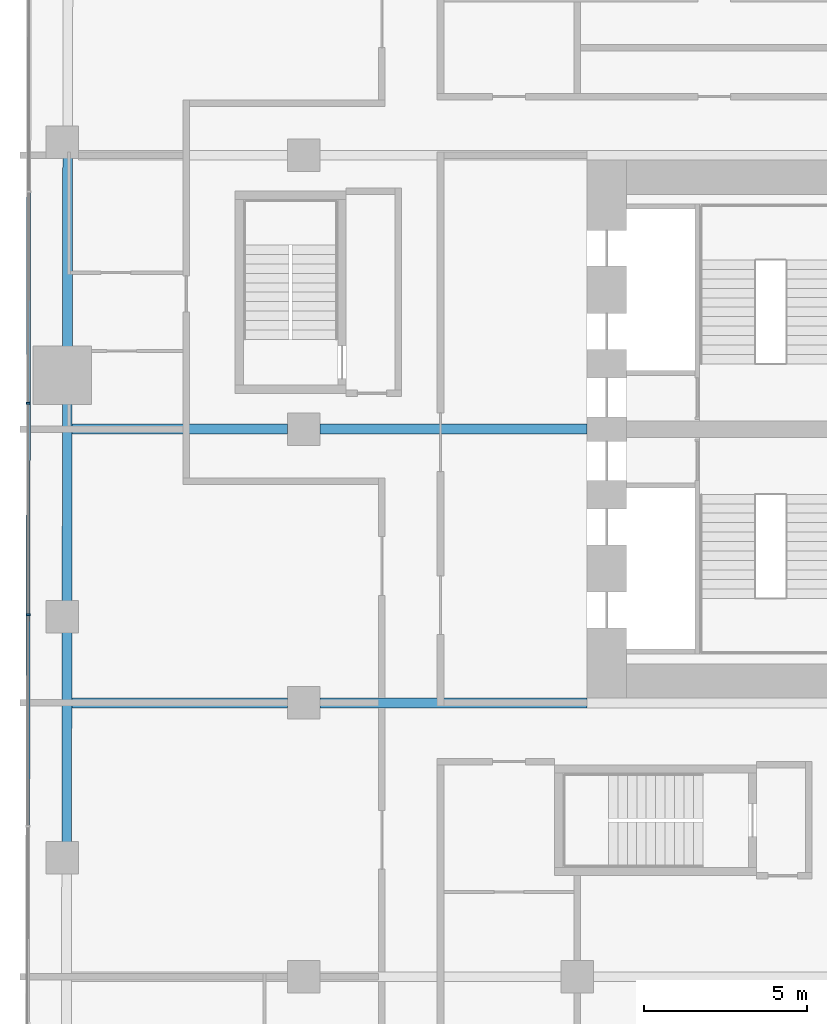
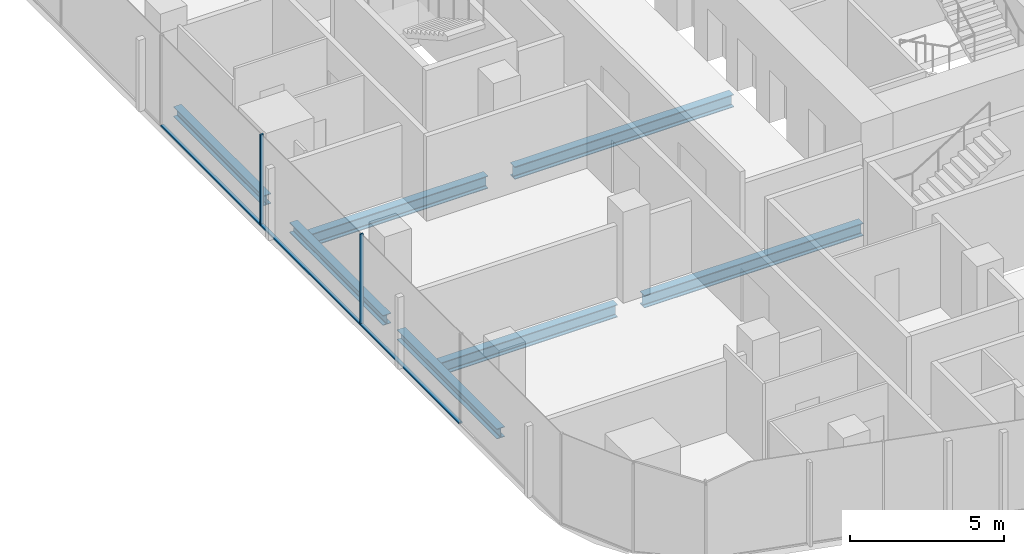
# One storey, part 4 of 26: 7 beams, 5 members, 1 element without a shape of its own.
"""IFC4 building model written with IfcOpenShell, lengths in metres."""

from ifc_helpers import new_model, si_unit, direction, frame, origin, origin_2d, place, context, subcontext, project, spatial, rectangle, i_section, extrude, material, layer, layer_set, material_profile, profile_set, type_object, element, aggregate, save


model = new_model("IFC4")

# Units and contexts
model_context = context("Model", 3, precision=1e-05, world=origin(), true_north=direction((0.0, 1.0)))
body_context = subcontext(model_context, "Body", "Model", "MODEL_VIEW")
ifc_project = project(units=[si_unit("LENGTHUNIT", "METRE"), si_unit("AREAUNIT", "SQUARE_METRE"), si_unit("VOLUMEUNIT", "CUBIC_METRE"), si_unit("PLANEANGLEUNIT", "RADIAN"), si_unit("MASSUNIT", "GRAM", prefix="KILO")], contexts=[model_context])

# Site, building, storey
site_placement = place(None, origin())
site = spatial("IfcSite", under=ifc_project, at=site_placement, CompositionType="ELEMENT")
building_placement = place(site_placement, origin())
building = spatial("IfcBuilding", under=site, at=building_placement, Name="Marenta Gate Hotel Tower", CompositionType="ELEMENT")
storey_placement = place(building_placement, frame((0.0, 0.0, 79.699951171875)))
storey = spatial("IfcBuildingStorey", under=building, at=storey_placement, Name="L18", CompositionType="ELEMENT", Elevation=79.699951171875)

# Beams
ifc_material_1 = material(Name="Steel S355", Category="steel")
ifc_material_profile_1 = material_profile(ifc_material_1, i_section(OverallWidth=0.300048828125, OverallDepth=0.39990234375, WebThickness=0.013427734375, FlangeThickness=0.02392578125, FilletRadius=0.027099609375, at=origin_2d()), Name="HEB 400")
ifc_profile_set_1 = profile_set([ifc_material_profile_1], Name="Steel S355")
beam_type_1 = type_object("IfcBeamType", Name="Edge beam HEB 400", PredefinedType="SPANDREL", material=ifc_profile_set_1)
beam_1_placement = place(storey_placement, frame((-28.267333984375, -4.2919921875, -0.4599609375), z_axis=(0.001393753119, 0.999999028726, 0.0), x_axis=(-0.999999028726, 0.001393753119, 0.0)))
element("IfcBeam", 1, at=beam_1_placement, inside=storey, type_object=beam_type_1, Name="L18-EB-6", PredefinedType="SPANDREL", context=body_context, shape_type="SweptSolid", body=[
    extrude(i_section(OverallWidth=0.300048828125, OverallDepth=0.39990234375, WebThickness=0.013427734375, FlangeThickness=0.02392578125, FilletRadius=0.027099609375, at=origin_2d()), origin(), (0.0, 0.0, 1.0), 6.481201171875),
])
beam_2_placement = place(storey_placement, frame((-28.257080078125, 3.109130859375, -0.4599609375), z_axis=(0.001405226059, 0.999999012669, 0.0), x_axis=(-0.999999012669, 0.001405226059, 0.0)))
element("IfcBeam", 2, at=beam_2_placement, inside=storey, type_object=beam_type_1, Name="L18-EB-7", PredefinedType="SPANDREL", context=body_context, shape_type="SweptSolid", body=[
    extrude(i_section(OverallWidth=0.300048828125, OverallDepth=0.39990234375, WebThickness=0.013427734375, FlangeThickness=0.02392578125, FilletRadius=0.027099609375, at=origin_2d()), origin(), (0.0, 0.0, 1.0), 6.080810546875),
])
beam_3_placement = place(storey_placement, frame((-28.246337890625, 10.909912109375, -0.4599609375), z_axis=(0.001423009483, 0.999998987521, 0.0), x_axis=(-0.999998987521, 0.001423009483, 0.0)))
element("IfcBeam", 3, at=beam_3_placement, inside=storey, type_object=beam_type_1, Name="L18-EB-8", PredefinedType="SPANDREL", context=body_context, shape_type="SweptSolid", body=[
    extrude(i_section(OverallWidth=0.300048828125, OverallDepth=0.39990234375, WebThickness=0.013427734375, FlangeThickness=0.02392578125, FilletRadius=0.027099609375, at=origin_2d()), origin(), (0.0, 0.0, 1.0), 5.833251953125),
])
ifc_material_2 = material(Name="Steel S355", Category="steel")
ifc_material_profile_2 = material_profile(ifc_material_2, i_section(OverallWidth=0.300048828125, OverallDepth=0.5, WebThickness=0.014404296875, FlangeThickness=0.028076171875, FilletRadius=0.027099609375, at=origin_2d()), Name="HEB 500")
ifc_profile_set_2 = profile_set([ifc_material_profile_2], Name="Steel S355")
beam_type_2 = type_object("IfcBeamType", Name="Girder HEB 500", PredefinedType="BEAM", material=ifc_profile_set_2)
beam_4_placement = place(storey_placement, frame((-28.111328125, 0.0, -0.510009765625), z_axis=(1.0, 0.0, 0.0), x_axis=(0.0, 1.0, 0.0)))
element("IfcBeam", 4, at=beam_4_placement, inside=storey, type_object=beam_type_2, Name="L18-GD-8", PredefinedType="BEAM", context=body_context, shape_type="SweptSolid", body=[
    extrude(i_section(OverallWidth=0.300048828125, OverallDepth=0.5, WebThickness=0.014404296875, FlangeThickness=0.028076171875, FilletRadius=0.027099609375, at=origin_2d()), origin(), (0.0, 0.0, 1.0), 6.611328125),
])
beam_5_placement = place(storey_placement, frame((-20.5, 0.0, -0.510009765625), z_axis=(1.0, 0.0, 0.0), x_axis=(0.0, 1.0, 0.0)))
element("IfcBeam", 5, at=beam_5_placement, inside=storey, type_object=beam_type_2, Name="L18-GD-9", PredefinedType="BEAM", context=body_context, shape_type="SweptSolid", body=[
    extrude(i_section(OverallWidth=0.300048828125, OverallDepth=0.5, WebThickness=0.014404296875, FlangeThickness=0.028076171875, FilletRadius=0.027099609375, at=origin_2d()), origin(), (0.0, 0.0, 1.0), 8.199951171875),
])
beam_6_placement = place(storey_placement, frame((-28.099609375, 8.39990234375, -0.510009765625), z_axis=(1.0, 0.0, 0.0), x_axis=(0.0, 1.0, 0.0)))
element("IfcBeam", 6, at=beam_6_placement, inside=storey, type_object=beam_type_2, Name="L18-GD-13", PredefinedType="BEAM", context=body_context, shape_type="SweptSolid", body=[
    extrude(i_section(OverallWidth=0.300048828125, OverallDepth=0.5, WebThickness=0.014404296875, FlangeThickness=0.028076171875, FilletRadius=0.027099609375, at=origin_2d()), origin(), (0.0, 0.0, 1.0), 6.599609375),
])
beam_7_placement = place(storey_placement, frame((-20.5, 8.39990234375, -0.510009765625), z_axis=(1.0, 0.0, 0.0), x_axis=(0.0, 1.0, 0.0)))
element("IfcBeam", 7, at=beam_7_placement, inside=storey, type_object=beam_type_2, Name="L18-GD-14", PredefinedType="BEAM", context=body_context, shape_type="SweptSolid", body=[
    extrude(i_section(OverallWidth=0.300048828125, OverallDepth=0.5, WebThickness=0.014404296875, FlangeThickness=0.028076171875, FilletRadius=0.027099609375, at=origin_2d()), origin(), (0.0, 0.0, 1.0), 8.199951171875),
])

# Curtain wall, members
ifc_material_3 = material(Name="Tinted insulated glass in bronze anodised frame", Category="glass")
ifc_layer = layer(ifc_material_3, 0.1201171875)
ifc_layer_set = layer_set([ifc_layer], Name="Tinted insulated glass in bronze anodised frame")
curtain_wall_type = type_object("IfcCurtainWallType", Name="Tower unitised curtain wall CW1", PredefinedType="NOTDEFINED", material=ifc_layer_set)
curtain_wall_placement = place(storey_placement, origin())
curtain_wall = element("IfcCurtainWall", 8, at=curtain_wall_placement, inside=storey, type_object=curtain_wall_type, Name="CW1 run G03", PredefinedType="NOTDEFINED")
ifc_material_4 = material(Name="Bronze anodised aluminium", Category="aluminium")
ifc_material_profile_3 = material_profile(ifc_material_4, rectangle(XDim=0.1201171875, YDim=0.06005859375, at=origin_2d()), Name="Mullion CW1 60x120 bronze anodised aluminium")
ifc_profile_set_3 = profile_set([ifc_material_profile_3], Name="Bronze anodised aluminium")
member_type_1 = type_object("IfcMemberType", Name="Mullion CW1 60x120 bronze anodised aluminium", PredefinedType="MULLION", material=ifc_profile_set_3)
member_1_placement = place(storey_placement, frame((-29.44287109375, 9.195068359375, 0.0), z_axis=(0.0, 0.0, 1.0), x_axis=(0.99999877316, -0.00156642217, 0.0)))
member_1 = element("IfcMember", 9, at=member_1_placement, type_object=member_type_1, Name="CW1 mullion 4", PredefinedType="MULLION", context=body_context, shape_type="SweptSolid", body=[
    extrude(rectangle(XDim=0.1201171875, YDim=0.06005859375, at=origin_2d()), origin(), (0.0, 0.0, 1.0), 3.60009765625),
])
member_2_placement = place(storey_placement, frame((-29.452880859375, 2.704833984375, 0.0), z_axis=(0.0, 0.0, 1.0), x_axis=(0.99999877316, -0.00156642217, 0.0)))
member_2 = element("IfcMember", 10, at=member_2_placement, type_object=member_type_1, Name="CW1 mullion 5", PredefinedType="MULLION", context=body_context, shape_type="SweptSolid", body=[
    extrude(rectangle(XDim=0.1201171875, YDim=0.06005859375, at=origin_2d()), origin(), (0.0, 0.0, 1.0), 3.60009765625),
])
ifc_material_5 = material(Name="Bronze anodised aluminium", Category="aluminium")
ifc_material_profile_4 = material_profile(ifc_material_5, rectangle(XDim=0.1201171875, YDim=0.06005859375, at=origin_2d()), Name="Transom CW1 60x120 bronze anodised aluminium")
ifc_profile_set_4 = profile_set([ifc_material_profile_4], Name="Bronze anodised aluminium")
member_type_2 = type_object("IfcMemberType", Name="Transom CW1 60x120 bronze anodised aluminium", PredefinedType="USERDEFINED", material=ifc_profile_set_4)
member_3_placement = place(storey_placement, frame((-29.4326171875, 15.655517578125, 0.030029296875), z_axis=(-0.001594591541, -0.999998728638, 0.0), x_axis=(0.999998728638, -0.001594591541, 0.0)))
member_3 = element("IfcMember", 11, at=member_3_placement, type_object=member_type_2, Name="CW1 transom 3.1", ObjectType="TRANSOM", PredefinedType="USERDEFINED", context=body_context, shape_type="SweptSolid", body=[
    extrude(rectangle(XDim=0.1201171875, YDim=0.06005859375, at=origin_2d()), origin(), (0.0, 0.0, 1.0), 6.430419921875),
])
member_4_placement = place(storey_placement, frame((-29.44287109375, 9.1650390625, 0.030029296875), z_axis=(-0.001556625169, -0.999998788458, 0.0), x_axis=(0.999998788458, -0.001556625169, 0.0)))
member_4 = element("IfcMember", 12, at=member_4_placement, type_object=member_type_2, Name="CW1 transom 4.1", ObjectType="TRANSOM", PredefinedType="USERDEFINED", context=body_context, shape_type="SweptSolid", body=[
    extrude(rectangle(XDim=0.1201171875, YDim=0.06005859375, at=origin_2d()), origin(), (0.0, 0.0, 1.0), 6.430419921875),
])
member_5_placement = place(storey_placement, frame((-29.453125, 2.6748046875, 0.030029296875), z_axis=(-0.001556625169, -0.999998788458, 0.0), x_axis=(0.999998788458, -0.001556625169, 0.0)))
member_5 = element("IfcMember", 13, at=member_5_placement, type_object=member_type_2, Name="CW1 transom 5.1", ObjectType="TRANSOM", PredefinedType="USERDEFINED", context=body_context, shape_type="SweptSolid", body=[
    extrude(rectangle(XDim=0.1201171875, YDim=0.06005859375, at=origin_2d()), origin(), (0.0, 0.0, 1.0), 6.430419921875),
])
aggregate(curtain_wall, [member_1, member_2, member_3, member_4, member_5])

save(model, "model.ifc")
